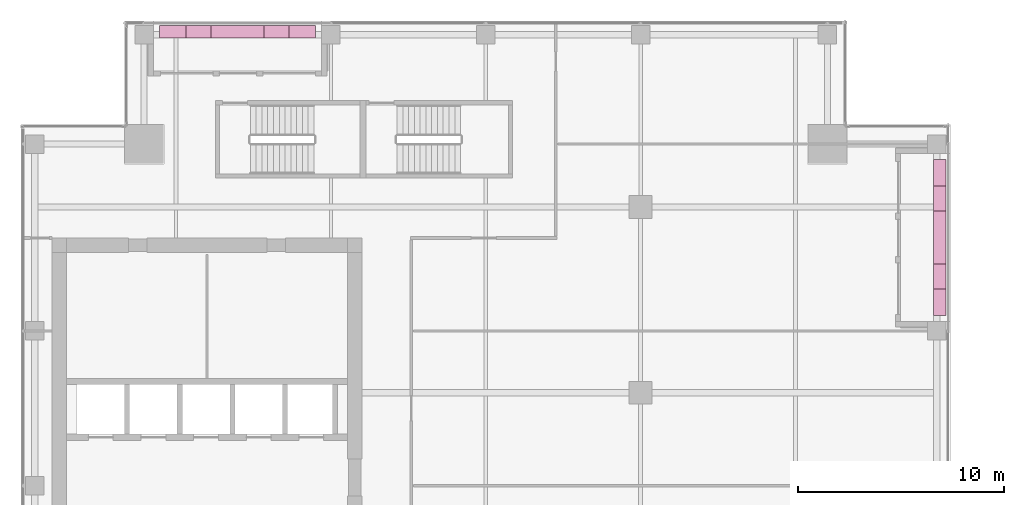
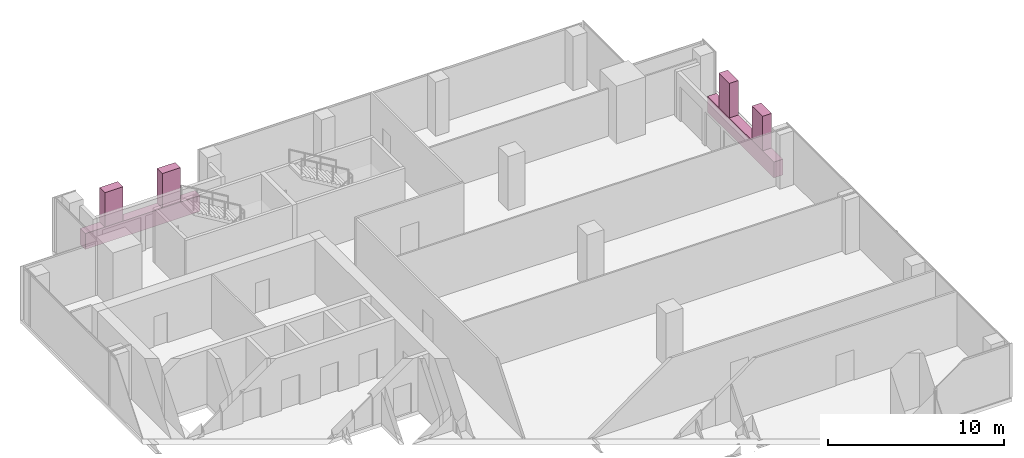
# One storey, part 34 of 34: 6 furnishings.
"""IFC4 building model written with IfcOpenShell, lengths in metres."""

from ifc_helpers import new_model, si_unit, direction, frame, origin, origin_2d, place, context, subcontext, project, spatial, rectangle, extrude, source, transform, mapped, material, type_object, element, save


model = new_model("IFC4")

# Units and contexts
model_context = context("Model", 3, precision=1e-05, world=origin(), true_north=direction((0.0, 1.0)))
body_context = subcontext(model_context, "Body", "Model", "MODEL_VIEW")
ifc_project = project(units=[si_unit("LENGTHUNIT", "METRE"), si_unit("AREAUNIT", "SQUARE_METRE"), si_unit("VOLUMEUNIT", "CUBIC_METRE"), si_unit("PLANEANGLEUNIT", "RADIAN"), si_unit("MASSUNIT", "GRAM", prefix="KILO")], contexts=[model_context])

# Site, building, storey
site_placement = place(None, origin())
site = spatial("IfcSite", under=ifc_project, at=site_placement, CompositionType="ELEMENT")
building_placement = place(site_placement, origin())
building = spatial("IfcBuilding", under=site, at=building_placement, Name="Khomas Fold Tower", CompositionType="ELEMENT")
storey_placement = place(building_placement, frame((0.0, 0.0, 254.199951171875)))
storey = spatial("IfcBuildingStorey", under=building, at=storey_placement, Name="L57", CompositionType="ELEMENT", Elevation=254.199951171875)

# Furnishings
ifc_material_1 = material(Name="Planting")
furnishing_element_type_1 = type_object("IfcFurnishingElementType", Name="BL-Tree Wild olive", material=ifc_material_1)
shared_shape_1 = source(origin(), body_context, "Body", "SweptSolid", [
    extrude(rectangle(XDim=1.199951171875, YDim=0.60009765625, at=origin_2d()), origin(), (0.0, 0.0, 1.0), 2.39501953125),
])
furnishing_1_placement = place(storey_placement, frame((49.0, 37.137451171875, 1.054931640625), z_axis=(0.0, 0.0, 1.0), x_axis=(0.0, 1.0, 0.0)))
element("IfcFurnishingElement", 1, at=furnishing_1_placement, inside=storey, type_object=furnishing_element_type_1, Name="PLANTER (TREE) Wild olive BAL-L57-E4-1", context=body_context, shape_type="MappedRepresentation", body=[
    mapped(shared_shape_1, transform((0.0, 0.0, 0.0))),
])
ifc_material_2 = material(Name="Planting")
furnishing_element_type_2 = type_object("IfcFurnishingElementType", Name="BL-Tree Shepherd's tree", material=ifc_material_2)
furnishing_2_placement = place(storey_placement, frame((49.0, 40.91259765625, 1.054931640625), z_axis=(0.0, 0.0, 1.0), x_axis=(0.0, 1.0, 0.0)))
element("IfcFurnishingElement", 2, at=furnishing_2_placement, inside=storey, type_object=furnishing_element_type_2, Name="PLANTER (TREE) Shepherd's tree BAL-L57-E4-2", context=body_context, shape_type="MappedRepresentation", body=[
    mapped(shared_shape_1, transform((0.0, 0.0, 0.0))),
])
furnishing_3_placement = place(storey_placement, frame((13.08740234375, 49.0, 1.054931640625), z_axis=(0.0, 0.0, 1.0), x_axis=(1.0, 0.0, 0.0)))
element("IfcFurnishingElement", 3, at=furnishing_3_placement, inside=storey, type_object=furnishing_element_type_1, Name="PLANTER (TREE) Wild olive BAL-L57-N1-1", context=body_context, shape_type="MappedRepresentation", body=[
    mapped(shared_shape_1, transform((0.0, 0.0, 0.0))),
])
furnishing_4_placement = place(storey_placement, frame((16.862548828125, 49.0, 1.054931640625), z_axis=(0.0, 0.0, 1.0), x_axis=(1.0, 0.0, 0.0)))
element("IfcFurnishingElement", 4, at=furnishing_4_placement, inside=storey, type_object=furnishing_element_type_2, Name="PLANTER (TREE) Shepherd's tree BAL-L57-N1-2", context=body_context, shape_type="MappedRepresentation", body=[
    mapped(shared_shape_1, transform((0.0, 0.0, 0.0))),
])
ifc_material_3 = material(Name="Precast concrete C40/50", Category="concrete")
furnishing_element_type_3 = type_object("IfcFurnishingElementType", Name="BL-Structural planter box", material=ifc_material_3)
shared_shape_2 = source(origin(), body_context, "Body", "SweptSolid", [
    extrude(rectangle(XDim=7.550048828125, YDim=0.60009765625, at=origin_2d()), origin(), (0.0, 0.0, 1.0), 1.10009765625),
])
for number, where, z_axis, x_axis, name in (
    (5, (49.0, 39.02490234375, -0.044921875), (0.0, 0.0, 1.0), (0.0, 1.0, 0.0), "PLANTER BAL-L57-E4"),
    (6, (14.97509765625, 49.0, -0.044921875), (0.0, 0.0, 1.0), (1.0, 0.0, 0.0), "PLANTER BAL-L57-N1"),
):
    element("IfcFurnishingElement", number, at=place(storey_placement, frame(where, z_axis=z_axis, x_axis=x_axis)), inside=storey, type_object=furnishing_element_type_3, Name=name, context=body_context, shape_type="MappedRepresentation", body=[
        mapped(shared_shape_2, transform((0.0, 0.0, 0.0))),
    ])

save(model, "model.ifc")
